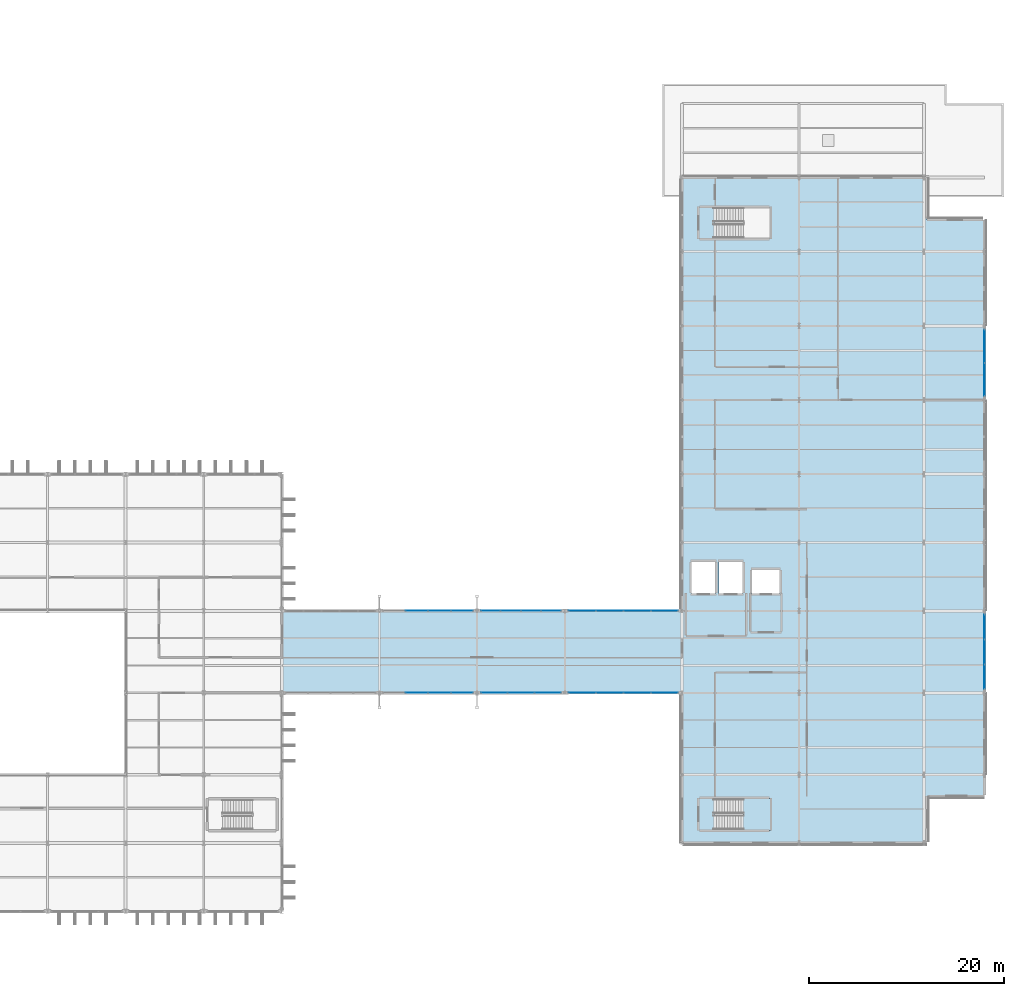
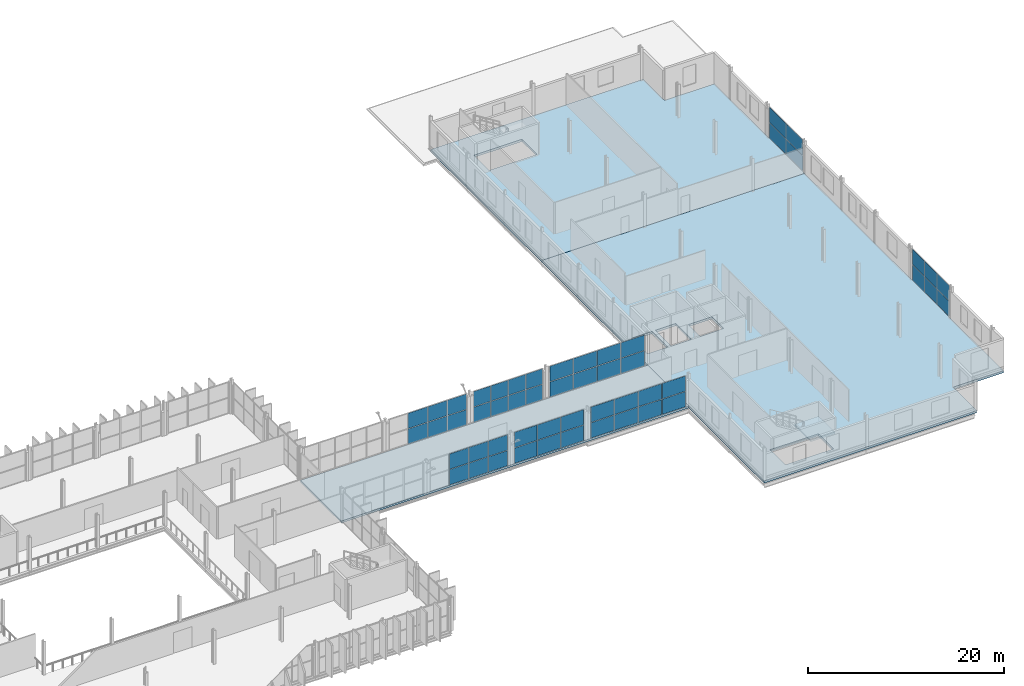
# One storey, part 72 of 101: 52 plates, 4 slabs, 9 elements without a shape of their own.
"""IFC4 building model written with IfcOpenShell, lengths in metres."""

from ifc_helpers import new_model, si_unit, direction, frame, origin, origin_2d, place, context, subcontext, project, spatial, polyline, rectangle, outline, extrude, material, layer, layer_set, type_object, element, aggregate, save


model = new_model("IFC4")

# Units and contexts
model_context = context("Model", 3, precision=1e-05, world=origin(), true_north=direction((0.0, 1.0)))
body_context = subcontext(model_context, "Body", "Model", "MODEL_VIEW")
ifc_project = project(units=[si_unit("LENGTHUNIT", "METRE"), si_unit("AREAUNIT", "SQUARE_METRE"), si_unit("VOLUMEUNIT", "CUBIC_METRE"), si_unit("PLANEANGLEUNIT", "RADIAN"), si_unit("MASSUNIT", "GRAM", prefix="KILO")], contexts=[model_context])

# Site, building, storey
site_placement = place(None, origin())
site = spatial("IfcSite", under=ifc_project, at=site_placement, CompositionType="ELEMENT")
building_placement = place(site_placement, origin())
building = spatial("IfcBuilding", under=site, at=building_placement, Name="Vekula Escarpment Museum", CompositionType="ELEMENT")
storey_placement = place(building_placement, frame((0.0, 0.0, 18.0)))
storey = spatial("IfcBuildingStorey", under=building, at=storey_placement, Name="L04", CompositionType="ELEMENT", Elevation=18.0)

# Curtain wall, plates
ifc_material_1 = material(Name="Aluminium thermally broken framing", Category="aluminium")
ifc_layer_1 = layer(ifc_material_1, 0.199951171875)
ifc_layer_set_1 = layer_set([ifc_layer_1], Name="Aluminium thermally broken framing")
curtain_wall_type_1 = type_object("IfcCurtainWallType", Name="CW-SYS-04", PredefinedType="NOTDEFINED", material=ifc_layer_set_1)
curtain_wall_1_placement = place(storey_placement, origin())
curtain_wall_1 = element("IfcCurtainWall", 1, at=curtain_wall_1_placement, inside=storey, type_object=curtain_wall_type_1, Name="Curtain Wall CW-L04-144", PredefinedType="NOTDEFINED")
ifc_material_2 = material(Name="Double solar-control low-E glass", Category="glass")
ifc_layer_2 = layer(ifc_material_2, 0.028076171875)
ifc_layer_set_2 = layer_set([ifc_layer_2], Name="Double solar-control low-E glass")
plate_type_1 = type_object("IfcPlateType", Name="CW-PNL-28", PredefinedType="CURTAIN_PANEL", material=ifc_layer_set_2)
plate_1_placement = place(storey_placement, frame((147.7548828125, 68.0, 0.06005859375), z_axis=(0.0, 0.0, 1.0), x_axis=(1.0, 0.0, 0.0)))
plate_1 = element("IfcPlate", 2, at=plate_1_placement, type_object=plate_type_1, Name="CW-04 panel 1.1", PredefinedType="CURTAIN_PANEL", context=body_context, shape_type="SweptSolid", body=[
    extrude(rectangle(XDim=2.669921875, YDim=0.028076171875, at=origin_2d()), origin(), (0.0, 0.0, 1.0), 1.89990234375),
])
plate_2_placement = place(storey_placement, frame((147.7548828125, 68.0, 2.02001953125), z_axis=(0.0, 0.0, 1.0), x_axis=(1.0, 0.0, 0.0)))
plate_2 = element("IfcPlate", 3, at=plate_2_placement, type_object=plate_type_1, Name="CW-04 panel 1.2", PredefinedType="CURTAIN_PANEL", context=body_context, shape_type="SweptSolid", body=[
    extrude(rectangle(XDim=2.669921875, YDim=0.028076171875, at=origin_2d()), origin(), (0.0, 0.0, 1.0), 1.89990234375),
])
plate_3_placement = place(storey_placement, frame((150.5, 68.0, 0.06005859375), z_axis=(0.0, 0.0, 1.0), x_axis=(1.0, 0.0, 0.0)))
plate_3 = element("IfcPlate", 4, at=plate_3_placement, type_object=plate_type_1, Name="CW-04 panel 2.1", PredefinedType="CURTAIN_PANEL", context=body_context, shape_type="SweptSolid", body=[
    extrude(rectangle(XDim=2.699951171875, YDim=0.028076171875, at=origin_2d()), origin(), (0.0, 0.0, 1.0), 1.89990234375),
])
plate_4_placement = place(storey_placement, frame((150.5, 68.0, 2.02001953125), z_axis=(0.0, 0.0, 1.0), x_axis=(1.0, 0.0, 0.0)))
plate_4 = element("IfcPlate", 5, at=plate_4_placement, type_object=plate_type_1, Name="CW-04 panel 2.2", PredefinedType="CURTAIN_PANEL", context=body_context, shape_type="SweptSolid", body=[
    extrude(rectangle(XDim=2.699951171875, YDim=0.028076171875, at=origin_2d()), origin(), (0.0, 0.0, 1.0), 1.89990234375),
])
plate_5_placement = place(storey_placement, frame((153.2451171875, 68.0, 0.06005859375), z_axis=(0.0, 0.0, 1.0), x_axis=(1.0, 0.0, 0.0)))
plate_5 = element("IfcPlate", 6, at=plate_5_placement, type_object=plate_type_1, Name="CW-04 panel 3.1", PredefinedType="CURTAIN_PANEL", context=body_context, shape_type="SweptSolid", body=[
    extrude(rectangle(XDim=2.669921875, YDim=0.028076171875, at=origin_2d()), origin(), (0.0, 0.0, 1.0), 1.89990234375),
])
plate_6_placement = place(storey_placement, frame((153.2451171875, 68.0, 2.02001953125), z_axis=(0.0, 0.0, 1.0), x_axis=(1.0, 0.0, 0.0)))
plate_6 = element("IfcPlate", 7, at=plate_6_placement, type_object=plate_type_1, Name="CW-04 panel 3.2", PredefinedType="CURTAIN_PANEL", context=body_context, shape_type="SweptSolid", body=[
    extrude(rectangle(XDim=2.669921875, YDim=0.028076171875, at=origin_2d()), origin(), (0.0, 0.0, 1.0), 1.89990234375),
])
aggregate(curtain_wall_1, [plate_1, plate_2, plate_3, plate_4, plate_5, plate_6])

ifc_material_3 = material(Name="Aluminium thermally broken framing", Category="aluminium")
ifc_layer_3 = layer(ifc_material_3, 0.179931640625)
ifc_layer_set_3 = layer_set([ifc_layer_3], Name="Aluminium thermally broken framing")
curtain_wall_type_2 = type_object("IfcCurtainWallType", Name="CW-SYS-08", PredefinedType="NOTDEFINED", material=ifc_layer_set_3)
curtain_wall_2_placement = place(storey_placement, origin())
curtain_wall_2 = element("IfcCurtainWall", 8, at=curtain_wall_2_placement, inside=storey, type_object=curtain_wall_type_2, Name="Curtain Wall CW-L04-148", PredefinedType="NOTDEFINED")
plate_7_placement = place(storey_placement, frame((165.215087890625, 76.39990234375, 0.06005859375), z_axis=(0.0, 0.0, 1.0), x_axis=(-1.0, 0.0, 0.0)))
plate_7 = element("IfcPlate", 9, at=plate_7_placement, type_object=plate_type_1, Name="CW-08 panel 1.1", PredefinedType="CURTAIN_PANEL", context=body_context, shape_type="SweptSolid", body=[
    extrude(rectangle(XDim=2.72998046875, YDim=0.028076171875, at=origin_2d()), origin(), (0.0, 0.0, 1.0), 1.89990234375),
])
plate_8_placement = place(storey_placement, frame((165.215087890625, 76.39990234375, 2.02001953125), z_axis=(0.0, 0.0, 1.0), x_axis=(-1.0, 0.0, 0.0)))
plate_8 = element("IfcPlate", 10, at=plate_8_placement, type_object=plate_type_1, Name="CW-08 panel 1.2", PredefinedType="CURTAIN_PANEL", context=body_context, shape_type="SweptSolid", body=[
    extrude(rectangle(XDim=2.72998046875, YDim=0.028076171875, at=origin_2d()), origin(), (0.0, 0.0, 1.0), 1.89990234375),
])
plate_9_placement = place(storey_placement, frame((162.409912109375, 76.39990234375, 0.06005859375), z_axis=(0.0, 0.0, 1.0), x_axis=(-1.0, 0.0, 0.0)))
plate_9 = element("IfcPlate", 11, at=plate_9_placement, type_object=plate_type_1, Name="CW-08 panel 2.1", PredefinedType="CURTAIN_PANEL", context=body_context, shape_type="SweptSolid", body=[
    extrude(rectangle(XDim=2.760009765625, YDim=0.028076171875, at=origin_2d()), origin(), (0.0, 0.0, 1.0), 1.89990234375),
])
plate_10_placement = place(storey_placement, frame((162.409912109375, 76.39990234375, 2.02001953125), z_axis=(0.0, 0.0, 1.0), x_axis=(-1.0, 0.0, 0.0)))
plate_10 = element("IfcPlate", 12, at=plate_10_placement, type_object=plate_type_1, Name="CW-08 panel 2.2", PredefinedType="CURTAIN_PANEL", context=body_context, shape_type="SweptSolid", body=[
    extrude(rectangle(XDim=2.760009765625, YDim=0.028076171875, at=origin_2d()), origin(), (0.0, 0.0, 1.0), 1.89990234375),
])
plate_11_placement = place(storey_placement, frame((159.590087890625, 76.39990234375, 0.06005859375), z_axis=(0.0, 0.0, 1.0), x_axis=(-1.0, 0.0, 0.0)))
plate_11 = element("IfcPlate", 13, at=plate_11_placement, type_object=plate_type_1, Name="CW-08 panel 3.1", PredefinedType="CURTAIN_PANEL", context=body_context, shape_type="SweptSolid", body=[
    extrude(rectangle(XDim=2.760009765625, YDim=0.028076171875, at=origin_2d()), origin(), (0.0, 0.0, 1.0), 1.89990234375),
])
plate_12_placement = place(storey_placement, frame((159.590087890625, 76.39990234375, 2.02001953125), z_axis=(0.0, 0.0, 1.0), x_axis=(-1.0, 0.0, 0.0)))
plate_12 = element("IfcPlate", 14, at=plate_12_placement, type_object=plate_type_1, Name="CW-08 panel 3.2", PredefinedType="CURTAIN_PANEL", context=body_context, shape_type="SweptSolid", body=[
    extrude(rectangle(XDim=2.760009765625, YDim=0.028076171875, at=origin_2d()), origin(), (0.0, 0.0, 1.0), 1.89990234375),
])
plate_13_placement = place(storey_placement, frame((156.784912109375, 76.39990234375, 0.06005859375), z_axis=(0.0, 0.0, 1.0), x_axis=(-1.0, 0.0, 0.0)))
plate_13 = element("IfcPlate", 15, at=plate_13_placement, type_object=plate_type_1, Name="CW-08 panel 4.1", PredefinedType="CURTAIN_PANEL", context=body_context, shape_type="SweptSolid", body=[
    extrude(rectangle(XDim=2.72998046875, YDim=0.028076171875, at=origin_2d()), origin(), (0.0, 0.0, 1.0), 1.89990234375),
])
plate_14_placement = place(storey_placement, frame((156.784912109375, 76.39990234375, 2.02001953125), z_axis=(0.0, 0.0, 1.0), x_axis=(-1.0, 0.0, 0.0)))
plate_14 = element("IfcPlate", 16, at=plate_14_placement, type_object=plate_type_1, Name="CW-08 panel 4.2", PredefinedType="CURTAIN_PANEL", context=body_context, shape_type="SweptSolid", body=[
    extrude(rectangle(XDim=2.72998046875, YDim=0.028076171875, at=origin_2d()), origin(), (0.0, 0.0, 1.0), 1.89990234375),
])
aggregate(curtain_wall_2, [plate_7, plate_8, plate_9, plate_10, plate_11, plate_12, plate_13, plate_14])

ifc_material_4 = material(Name="Aluminium thermally broken framing", Category="aluminium")
ifc_layer_4 = layer(ifc_material_4, 0.159912109375)
ifc_layer_set_4 = layer_set([ifc_layer_4], Name="Aluminium thermally broken framing")
curtain_wall_type_3 = type_object("IfcCurtainWallType", Name="CW-SYS-05", PredefinedType="NOTDEFINED", material=ifc_layer_set_4)
curtain_wall_3_placement = place(storey_placement, origin())
curtain_wall_3 = element("IfcCurtainWall", 17, at=curtain_wall_3_placement, inside=storey, type_object=curtain_wall_type_3, Name="Curtain Wall CW-L04-145", PredefinedType="NOTDEFINED")
ifc_material_5 = material(Name="Acoustic laminated double low-E glass", Category="glass")
ifc_layer_5 = layer(ifc_material_5, 0.031982421875)
ifc_layer_set_5 = layer_set([ifc_layer_5], Name="Acoustic laminated double low-E glass")
plate_type_2 = type_object("IfcPlateType", Name="CW-PNL-32", PredefinedType="CURTAIN_PANEL", material=ifc_layer_set_5)
plate_15_placement = place(storey_placement, frame((156.784912109375, 68.0, 0.06005859375), z_axis=(0.0, 0.0, 1.0), x_axis=(1.0, 0.0, 0.0)))
plate_15 = element("IfcPlate", 18, at=plate_15_placement, type_object=plate_type_2, Name="CW-05 panel 1.1", PredefinedType="CURTAIN_PANEL", context=body_context, shape_type="SweptSolid", body=[
    extrude(rectangle(XDim=2.72998046875, YDim=0.031982421875, at=origin_2d()), origin(), (0.0, 0.0, 1.0), 1.89990234375),
])
plate_16_placement = place(storey_placement, frame((156.784912109375, 68.0, 2.02001953125), z_axis=(0.0, 0.0, 1.0), x_axis=(1.0, 0.0, 0.0)))
plate_16 = element("IfcPlate", 19, at=plate_16_placement, type_object=plate_type_2, Name="CW-05 panel 1.2", PredefinedType="CURTAIN_PANEL", context=body_context, shape_type="SweptSolid", body=[
    extrude(rectangle(XDim=2.72998046875, YDim=0.031982421875, at=origin_2d()), origin(), (0.0, 0.0, 1.0), 1.89990234375),
])
plate_17_placement = place(storey_placement, frame((159.590087890625, 68.0, 0.06005859375), z_axis=(0.0, 0.0, 1.0), x_axis=(1.0, 0.0, 0.0)))
plate_17 = element("IfcPlate", 20, at=plate_17_placement, type_object=plate_type_2, Name="CW-05 panel 2.1", PredefinedType="CURTAIN_PANEL", context=body_context, shape_type="SweptSolid", body=[
    extrude(rectangle(XDim=2.760009765625, YDim=0.031982421875, at=origin_2d()), origin(), (0.0, 0.0, 1.0), 1.89990234375),
])
plate_18_placement = place(storey_placement, frame((159.590087890625, 68.0, 2.02001953125), z_axis=(0.0, 0.0, 1.0), x_axis=(1.0, 0.0, 0.0)))
plate_18 = element("IfcPlate", 21, at=plate_18_placement, type_object=plate_type_2, Name="CW-05 panel 2.2", PredefinedType="CURTAIN_PANEL", context=body_context, shape_type="SweptSolid", body=[
    extrude(rectangle(XDim=2.760009765625, YDim=0.031982421875, at=origin_2d()), origin(), (0.0, 0.0, 1.0), 1.89990234375),
])
plate_19_placement = place(storey_placement, frame((162.409912109375, 68.0, 0.06005859375), z_axis=(0.0, 0.0, 1.0), x_axis=(1.0, 0.0, 0.0)))
plate_19 = element("IfcPlate", 22, at=plate_19_placement, type_object=plate_type_2, Name="CW-05 panel 3.1", PredefinedType="CURTAIN_PANEL", context=body_context, shape_type="SweptSolid", body=[
    extrude(rectangle(XDim=2.760009765625, YDim=0.031982421875, at=origin_2d()), origin(), (0.0, 0.0, 1.0), 1.89990234375),
])
plate_20_placement = place(storey_placement, frame((162.409912109375, 68.0, 2.02001953125), z_axis=(0.0, 0.0, 1.0), x_axis=(1.0, 0.0, 0.0)))
plate_20 = element("IfcPlate", 23, at=plate_20_placement, type_object=plate_type_2, Name="CW-05 panel 3.2", PredefinedType="CURTAIN_PANEL", context=body_context, shape_type="SweptSolid", body=[
    extrude(rectangle(XDim=2.760009765625, YDim=0.031982421875, at=origin_2d()), origin(), (0.0, 0.0, 1.0), 1.89990234375),
])
plate_21_placement = place(storey_placement, frame((165.215087890625, 68.0, 0.06005859375), z_axis=(0.0, 0.0, 1.0), x_axis=(1.0, 0.0, 0.0)))
plate_21 = element("IfcPlate", 24, at=plate_21_placement, type_object=plate_type_2, Name="CW-05 panel 4.1", PredefinedType="CURTAIN_PANEL", context=body_context, shape_type="SweptSolid", body=[
    extrude(rectangle(XDim=2.72998046875, YDim=0.031982421875, at=origin_2d()), origin(), (0.0, 0.0, 1.0), 1.89990234375),
])
plate_22_placement = place(storey_placement, frame((165.215087890625, 68.0, 2.02001953125), z_axis=(0.0, 0.0, 1.0), x_axis=(1.0, 0.0, 0.0)))
plate_22 = element("IfcPlate", 25, at=plate_22_placement, type_object=plate_type_2, Name="CW-05 panel 4.2", PredefinedType="CURTAIN_PANEL", context=body_context, shape_type="SweptSolid", body=[
    extrude(rectangle(XDim=2.72998046875, YDim=0.031982421875, at=origin_2d()), origin(), (0.0, 0.0, 1.0), 1.89990234375),
])
aggregate(curtain_wall_3, [plate_15, plate_16, plate_17, plate_18, plate_19, plate_20, plate_21, plate_22])

ifc_material_6 = material(Name="Aluminium thermally broken framing", Category="aluminium")
ifc_layer_6 = layer(ifc_material_6, 0.14990234375)
ifc_layer_set_6 = layer_set([ifc_layer_6], Name="Aluminium thermally broken framing")
curtain_wall_type_4 = type_object("IfcCurtainWallType", Name="CW-SYS-09", PredefinedType="NOTDEFINED", material=ifc_layer_set_6)
curtain_wall_4_placement = place(storey_placement, origin())
curtain_wall_4 = element("IfcCurtainWall", 26, at=curtain_wall_4_placement, inside=storey, type_object=curtain_wall_type_4, Name="Curtain Wall CW-L04-149", PredefinedType="NOTDEFINED")
plate_23_placement = place(storey_placement, frame((153.590087890625, 76.39990234375, 0.06005859375), z_axis=(0.0, 0.0, 1.0), x_axis=(-1.0, 0.0, 0.0)))
plate_23 = element("IfcPlate", 27, at=plate_23_placement, type_object=plate_type_2, Name="CW-09 panel 1.1", PredefinedType="CURTAIN_PANEL", context=body_context, shape_type="SweptSolid", body=[
    extrude(rectangle(XDim=1.97998046875, YDim=0.031982421875, at=origin_2d()), origin(), (0.0, 0.0, 1.0), 1.89990234375),
])
plate_24_placement = place(storey_placement, frame((153.590087890625, 76.39990234375, 2.02001953125), z_axis=(0.0, 0.0, 1.0), x_axis=(-1.0, 0.0, 0.0)))
plate_24 = element("IfcPlate", 28, at=plate_24_placement, type_object=plate_type_2, Name="CW-09 panel 1.2", PredefinedType="CURTAIN_PANEL", context=body_context, shape_type="SweptSolid", body=[
    extrude(rectangle(XDim=1.97998046875, YDim=0.031982421875, at=origin_2d()), origin(), (0.0, 0.0, 1.0), 1.89990234375),
])
plate_25_placement = place(storey_placement, frame((151.534912109375, 76.39990234375, 0.06005859375), z_axis=(0.0, 0.0, 1.0), x_axis=(-1.0, 0.0, 0.0)))
plate_25 = element("IfcPlate", 29, at=plate_25_placement, type_object=plate_type_2, Name="CW-09 panel 2.1", PredefinedType="CURTAIN_PANEL", context=body_context, shape_type="SweptSolid", body=[
    extrude(rectangle(XDim=2.010009765625, YDim=0.031982421875, at=origin_2d()), origin(), (0.0, 0.0, 1.0), 1.89990234375),
])
plate_26_placement = place(storey_placement, frame((151.534912109375, 76.39990234375, 2.02001953125), z_axis=(0.0, 0.0, 1.0), x_axis=(-1.0, 0.0, 0.0)))
plate_26 = element("IfcPlate", 30, at=plate_26_placement, type_object=plate_type_2, Name="CW-09 panel 2.2", PredefinedType="CURTAIN_PANEL", context=body_context, shape_type="SweptSolid", body=[
    extrude(rectangle(XDim=2.010009765625, YDim=0.031982421875, at=origin_2d()), origin(), (0.0, 0.0, 1.0), 1.89990234375),
])
plate_27_placement = place(storey_placement, frame((149.465087890625, 76.39990234375, 0.06005859375), z_axis=(0.0, 0.0, 1.0), x_axis=(-1.0, 0.0, 0.0)))
plate_27 = element("IfcPlate", 31, at=plate_27_placement, type_object=plate_type_2, Name="CW-09 panel 3.1", PredefinedType="CURTAIN_PANEL", context=body_context, shape_type="SweptSolid", body=[
    extrude(rectangle(XDim=2.010009765625, YDim=0.031982421875, at=origin_2d()), origin(), (0.0, 0.0, 1.0), 1.89990234375),
])
plate_28_placement = place(storey_placement, frame((149.465087890625, 76.39990234375, 2.02001953125), z_axis=(0.0, 0.0, 1.0), x_axis=(-1.0, 0.0, 0.0)))
plate_28 = element("IfcPlate", 32, at=plate_28_placement, type_object=plate_type_2, Name="CW-09 panel 3.2", PredefinedType="CURTAIN_PANEL", context=body_context, shape_type="SweptSolid", body=[
    extrude(rectangle(XDim=2.010009765625, YDim=0.031982421875, at=origin_2d()), origin(), (0.0, 0.0, 1.0), 1.89990234375),
])
plate_29_placement = place(storey_placement, frame((147.409912109375, 76.39990234375, 0.06005859375), z_axis=(0.0, 0.0, 1.0), x_axis=(-1.0, 0.0, 0.0)))
plate_29 = element("IfcPlate", 33, at=plate_29_placement, type_object=plate_type_2, Name="CW-09 panel 4.1", PredefinedType="CURTAIN_PANEL", context=body_context, shape_type="SweptSolid", body=[
    extrude(rectangle(XDim=1.97998046875, YDim=0.031982421875, at=origin_2d()), origin(), (0.0, 0.0, 1.0), 1.89990234375),
])
plate_30_placement = place(storey_placement, frame((147.409912109375, 76.39990234375, 2.02001953125), z_axis=(0.0, 0.0, 1.0), x_axis=(-1.0, 0.0, 0.0)))
plate_30 = element("IfcPlate", 34, at=plate_30_placement, type_object=plate_type_2, Name="CW-09 panel 4.2", PredefinedType="CURTAIN_PANEL", context=body_context, shape_type="SweptSolid", body=[
    extrude(rectangle(XDim=1.97998046875, YDim=0.031982421875, at=origin_2d()), origin(), (0.0, 0.0, 1.0), 1.89990234375),
])
aggregate(curtain_wall_4, [plate_23, plate_24, plate_25, plate_26, plate_27, plate_28, plate_29, plate_30])

ifc_material_7 = material(Name="Aluminium thermally broken framing", Category="aluminium")
ifc_layer_7 = layer(ifc_material_7, 0.139892578125)
ifc_layer_set_7 = layer_set([ifc_layer_7], Name="Aluminium thermally broken framing")
curtain_wall_type_5 = type_object("IfcCurtainWallType", Name="CW-SYS-06", PredefinedType="NOTDEFINED", material=ifc_layer_set_7)
curtain_wall_5_placement = place(storey_placement, origin())
curtain_wall_5 = element("IfcCurtainWall", 35, at=curtain_wall_5_placement, inside=storey, type_object=curtain_wall_type_5, Name="Curtain Wall CW-L04-146", PredefinedType="NOTDEFINED")
ifc_material_8 = material(Name="Triple UV-filtered museum gallery glass", Category="glass")
ifc_layer_8 = layer(ifc_material_8, 0.035888671875)
ifc_layer_set_8 = layer_set([ifc_layer_8], Name="Triple UV-filtered museum gallery glass")
plate_type_3 = type_object("IfcPlateType", Name="CW-PNL-36", PredefinedType="CURTAIN_PANEL", material=ifc_layer_set_8)
plate_31_placement = place(storey_placement, frame((198.0, 69.655029296875, 0.06005859375), z_axis=(0.0, 0.0, 1.0), x_axis=(0.0, 1.0, 0.0)))
plate_31 = element("IfcPlate", 36, at=plate_31_placement, type_object=plate_type_3, Name="CW-06 panel 1.1", PredefinedType="CURTAIN_PANEL", context=body_context, shape_type="SweptSolid", body=[
    extrude(rectangle(XDim=2.469970703125, YDim=0.035888671875, at=origin_2d()), origin(), (0.0, 0.0, 1.0), 1.89990234375),
])
plate_32_placement = place(storey_placement, frame((198.0, 69.655029296875, 2.02001953125), z_axis=(0.0, 0.0, 1.0), x_axis=(0.0, 1.0, 0.0)))
plate_32 = element("IfcPlate", 37, at=plate_32_placement, type_object=plate_type_3, Name="CW-06 panel 1.2", PredefinedType="CURTAIN_PANEL", context=body_context, shape_type="SweptSolid", body=[
    extrude(rectangle(XDim=2.469970703125, YDim=0.035888671875, at=origin_2d()), origin(), (0.0, 0.0, 1.0), 1.89990234375),
])
plate_33_placement = place(storey_placement, frame((198.0, 72.199951171875, 0.06005859375), z_axis=(0.0, 0.0, 1.0), x_axis=(0.0, 1.0, 0.0)))
plate_33 = element("IfcPlate", 38, at=plate_33_placement, type_object=plate_type_3, Name="CW-06 panel 2.1", PredefinedType="CURTAIN_PANEL", context=body_context, shape_type="SweptSolid", body=[
    extrude(rectangle(XDim=2.5, YDim=0.035888671875, at=origin_2d()), origin(), (0.0, 0.0, 1.0), 1.89990234375),
])
plate_34_placement = place(storey_placement, frame((198.0, 72.199951171875, 2.02001953125), z_axis=(0.0, 0.0, 1.0), x_axis=(0.0, 1.0, 0.0)))
plate_34 = element("IfcPlate", 39, at=plate_34_placement, type_object=plate_type_3, Name="CW-06 panel 2.2", PredefinedType="CURTAIN_PANEL", context=body_context, shape_type="SweptSolid", body=[
    extrude(rectangle(XDim=2.5, YDim=0.035888671875, at=origin_2d()), origin(), (0.0, 0.0, 1.0), 1.89990234375),
])
plate_35_placement = place(storey_placement, frame((198.0, 74.7451171875, 0.06005859375), z_axis=(0.0, 0.0, 1.0), x_axis=(0.0, 1.0, 0.0)))
plate_35 = element("IfcPlate", 40, at=plate_35_placement, type_object=plate_type_3, Name="CW-06 panel 3.1", PredefinedType="CURTAIN_PANEL", context=body_context, shape_type="SweptSolid", body=[
    extrude(rectangle(XDim=2.469970703125, YDim=0.035888671875, at=origin_2d()), origin(), (0.0, 0.0, 1.0), 1.89990234375),
])
plate_36_placement = place(storey_placement, frame((198.0, 74.7451171875, 2.02001953125), z_axis=(0.0, 0.0, 1.0), x_axis=(0.0, 1.0, 0.0)))
plate_36 = element("IfcPlate", 41, at=plate_36_placement, type_object=plate_type_3, Name="CW-06 panel 3.2", PredefinedType="CURTAIN_PANEL", context=body_context, shape_type="SweptSolid", body=[
    extrude(rectangle(XDim=2.469970703125, YDim=0.035888671875, at=origin_2d()), origin(), (0.0, 0.0, 1.0), 1.89990234375),
])
aggregate(curtain_wall_5, [plate_31, plate_32, plate_33, plate_34, plate_35, plate_36])

ifc_material_9 = material(Name="Aluminium thermally broken framing", Category="aluminium")
ifc_layer_9 = layer(ifc_material_9, 0.169921875)
ifc_layer_set_9 = layer_set([ifc_layer_9], Name="Aluminium thermally broken framing")
curtain_wall_type_6 = type_object("IfcCurtainWallType", Name="CW-SYS-10", PredefinedType="NOTDEFINED", material=ifc_layer_set_9)
curtain_wall_6_placement = place(storey_placement, origin())
curtain_wall_6 = element("IfcCurtainWall", 42, at=curtain_wall_6_placement, inside=storey, type_object=curtain_wall_type_6, Name="Curtain Wall CW-L04-150", PredefinedType="NOTDEFINED")
plate_37_placement = place(storey_placement, frame((144.465087890625, 76.39990234375, 0.06005859375), z_axis=(0.0, 0.0, 1.0), x_axis=(-1.0, 0.0, 0.0)))
plate_37 = element("IfcPlate", 43, at=plate_37_placement, type_object=plate_type_3, Name="CW-10 panel 1.1", PredefinedType="CURTAIN_PANEL", context=body_context, shape_type="SweptSolid", body=[
    extrude(rectangle(XDim=2.22998046875, YDim=0.035888671875, at=origin_2d()), origin(), (0.0, 0.0, 1.0), 1.89990234375),
])
plate_38_placement = place(storey_placement, frame((144.465087890625, 76.39990234375, 2.02001953125), z_axis=(0.0, 0.0, 1.0), x_axis=(-1.0, 0.0, 0.0)))
plate_38 = element("IfcPlate", 44, at=plate_38_placement, type_object=plate_type_3, Name="CW-10 panel 1.2", PredefinedType="CURTAIN_PANEL", context=body_context, shape_type="SweptSolid", body=[
    extrude(rectangle(XDim=2.22998046875, YDim=0.035888671875, at=origin_2d()), origin(), (0.0, 0.0, 1.0), 1.89990234375),
])
plate_39_placement = place(storey_placement, frame((142.159912109375, 76.39990234375, 0.06005859375), z_axis=(0.0, 0.0, 1.0), x_axis=(-1.0, 0.0, 0.0)))
plate_39 = element("IfcPlate", 45, at=plate_39_placement, type_object=plate_type_3, Name="CW-10 panel 2.1", PredefinedType="CURTAIN_PANEL", context=body_context, shape_type="SweptSolid", body=[
    extrude(rectangle(XDim=2.260009765625, YDim=0.035888671875, at=origin_2d()), origin(), (0.0, 0.0, 1.0), 1.89990234375),
])
plate_40_placement = place(storey_placement, frame((142.159912109375, 76.39990234375, 2.02001953125), z_axis=(0.0, 0.0, 1.0), x_axis=(-1.0, 0.0, 0.0)))
plate_40 = element("IfcPlate", 46, at=plate_40_placement, type_object=plate_type_3, Name="CW-10 panel 2.2", PredefinedType="CURTAIN_PANEL", context=body_context, shape_type="SweptSolid", body=[
    extrude(rectangle(XDim=2.260009765625, YDim=0.035888671875, at=origin_2d()), origin(), (0.0, 0.0, 1.0), 1.89990234375),
])
plate_41_placement = place(storey_placement, frame((139.840087890625, 76.39990234375, 0.06005859375), z_axis=(0.0, 0.0, 1.0), x_axis=(-1.0, 0.0, 0.0)))
plate_41 = element("IfcPlate", 47, at=plate_41_placement, type_object=plate_type_3, Name="CW-10 panel 3.1", PredefinedType="CURTAIN_PANEL", context=body_context, shape_type="SweptSolid", body=[
    extrude(rectangle(XDim=2.260009765625, YDim=0.035888671875, at=origin_2d()), origin(), (0.0, 0.0, 1.0), 1.89990234375),
])
plate_42_placement = place(storey_placement, frame((139.840087890625, 76.39990234375, 2.02001953125), z_axis=(0.0, 0.0, 1.0), x_axis=(-1.0, 0.0, 0.0)))
plate_42 = element("IfcPlate", 48, at=plate_42_placement, type_object=plate_type_3, Name="CW-10 panel 3.2", PredefinedType="CURTAIN_PANEL", context=body_context, shape_type="SweptSolid", body=[
    extrude(rectangle(XDim=2.260009765625, YDim=0.035888671875, at=origin_2d()), origin(), (0.0, 0.0, 1.0), 1.89990234375),
])
aggregate(curtain_wall_6, [plate_37, plate_38, plate_39, plate_40, plate_41, plate_42])

ifc_material_10 = material(Name="Aluminium thermally broken framing", Category="aluminium")
ifc_layer_10 = layer(ifc_material_10, 0.199951171875)
ifc_layer_set_10 = layer_set([ifc_layer_10], Name="Aluminium thermally broken framing")
curtain_wall_type_7 = type_object("IfcCurtainWallType", Name="CW-SYS-03", PredefinedType="NOTDEFINED", material=ifc_layer_set_10)
curtain_wall_7_placement = place(storey_placement, origin())
curtain_wall_7 = element("IfcCurtainWall", 49, at=curtain_wall_7_placement, inside=storey, type_object=curtain_wall_type_7, Name="Curtain Wall CW-L04-143", PredefinedType="NOTDEFINED")
ifc_material_11 = material(Name="Insulated bronze spandrel glass panel", Category="glass")
ifc_layer_11 = layer(ifc_material_11, 0.0400390625)
ifc_layer_set_11 = layer_set([ifc_layer_11], Name="Insulated bronze spandrel glass panel")
plate_type_4 = type_object("IfcPlateType", Name="CW-PNL-40", PredefinedType="CURTAIN_PANEL", material=ifc_layer_set_11)
plate_43_placement = place(storey_placement, frame((139.840087890625, 68.0, 0.06005859375), z_axis=(0.0, 0.0, 1.0), x_axis=(1.0, 0.0, 0.0)))
plate_43 = element("IfcPlate", 50, at=plate_43_placement, type_object=plate_type_4, Name="CW-03 panel 2.1", PredefinedType="CURTAIN_PANEL", context=body_context, shape_type="SweptSolid", body=[
    extrude(rectangle(XDim=2.260009765625, YDim=0.0400390625, at=origin_2d()), origin(), (0.0, 0.0, 1.0), 1.89990234375),
])
plate_44_placement = place(storey_placement, frame((139.840087890625, 68.0, 2.02001953125), z_axis=(0.0, 0.0, 1.0), x_axis=(1.0, 0.0, 0.0)))
plate_44 = element("IfcPlate", 51, at=plate_44_placement, type_object=plate_type_4, Name="CW-03 panel 2.2", PredefinedType="CURTAIN_PANEL", context=body_context, shape_type="SweptSolid", body=[
    extrude(rectangle(XDim=2.260009765625, YDim=0.0400390625, at=origin_2d()), origin(), (0.0, 0.0, 1.0), 1.89990234375),
])
plate_45_placement = place(storey_placement, frame((142.159912109375, 68.0, 0.06005859375), z_axis=(0.0, 0.0, 1.0), x_axis=(1.0, 0.0, 0.0)))
plate_45 = element("IfcPlate", 52, at=plate_45_placement, type_object=plate_type_4, Name="CW-03 panel 3.1", PredefinedType="CURTAIN_PANEL", context=body_context, shape_type="SweptSolid", body=[
    extrude(rectangle(XDim=2.260009765625, YDim=0.0400390625, at=origin_2d()), origin(), (0.0, 0.0, 1.0), 1.89990234375),
])
plate_46_placement = place(storey_placement, frame((142.159912109375, 68.0, 2.02001953125), z_axis=(0.0, 0.0, 1.0), x_axis=(1.0, 0.0, 0.0)))
plate_46 = element("IfcPlate", 53, at=plate_46_placement, type_object=plate_type_4, Name="CW-03 panel 3.2", PredefinedType="CURTAIN_PANEL", context=body_context, shape_type="SweptSolid", body=[
    extrude(rectangle(XDim=2.260009765625, YDim=0.0400390625, at=origin_2d()), origin(), (0.0, 0.0, 1.0), 1.89990234375),
])
plate_47_placement = place(storey_placement, frame((144.465087890625, 68.0, 0.06005859375), z_axis=(0.0, 0.0, 1.0), x_axis=(1.0, 0.0, 0.0)))
plate_47 = element("IfcPlate", 54, at=plate_47_placement, type_object=plate_type_4, Name="CW-03 panel 4.1", PredefinedType="CURTAIN_PANEL", context=body_context, shape_type="SweptSolid", body=[
    extrude(rectangle(XDim=2.22998046875, YDim=0.0400390625, at=origin_2d()), origin(), (0.0, 0.0, 1.0), 1.89990234375),
])
plate_48_placement = place(storey_placement, frame((144.465087890625, 68.0, 2.02001953125), z_axis=(0.0, 0.0, 1.0), x_axis=(1.0, 0.0, 0.0)))
plate_48 = element("IfcPlate", 55, at=plate_48_placement, type_object=plate_type_4, Name="CW-03 panel 4.2", PredefinedType="CURTAIN_PANEL", context=body_context, shape_type="SweptSolid", body=[
    extrude(rectangle(XDim=2.22998046875, YDim=0.0400390625, at=origin_2d()), origin(), (0.0, 0.0, 1.0), 1.89990234375),
])
aggregate(curtain_wall_7, [plate_43, plate_44, plate_45, plate_46, plate_47, plate_48])

ifc_material_12 = material(Name="Aluminium thermally broken framing", Category="aluminium")
ifc_layer_12 = layer(ifc_material_12, 0.179931640625)
ifc_layer_set_12 = layer_set([ifc_layer_12], Name="Aluminium thermally broken framing")
curtain_wall_type_8 = type_object("IfcCurtainWallType", Name="CW-SYS-07", PredefinedType="NOTDEFINED", material=ifc_layer_set_12)
curtain_wall_8_placement = place(storey_placement, origin())
curtain_wall_8 = element("IfcCurtainWall", 56, at=curtain_wall_8_placement, inside=storey, type_object=curtain_wall_type_8, Name="Curtain Wall CW-L04-147", PredefinedType="NOTDEFINED")
plate_49_placement = place(storey_placement, frame((198.0, 100.094970703125, 0.06005859375), z_axis=(0.0, 0.0, 1.0), x_axis=(0.0, 1.0, 0.0)))
plate_49 = element("IfcPlate", 57, at=plate_49_placement, type_object=plate_type_4, Name="CW-07 panel 1.1", PredefinedType="CURTAIN_PANEL", context=body_context, shape_type="SweptSolid", body=[
    extrude(rectangle(XDim=3.35009765625, YDim=0.0400390625, at=origin_2d()), origin(), (0.0, 0.0, 1.0), 1.89990234375),
])
plate_50_placement = place(storey_placement, frame((198.0, 100.094970703125, 2.02001953125), z_axis=(0.0, 0.0, 1.0), x_axis=(0.0, 1.0, 0.0)))
plate_50 = element("IfcPlate", 58, at=plate_50_placement, type_object=plate_type_4, Name="CW-07 panel 1.2", PredefinedType="CURTAIN_PANEL", context=body_context, shape_type="SweptSolid", body=[
    extrude(rectangle(XDim=3.35009765625, YDim=0.0400390625, at=origin_2d()), origin(), (0.0, 0.0, 1.0), 1.89990234375),
])
plate_51_placement = place(storey_placement, frame((198.0, 103.5048828125, 0.06005859375), z_axis=(0.0, 0.0, 1.0), x_axis=(0.0, 1.0, 0.0)))
plate_51 = element("IfcPlate", 59, at=plate_51_placement, type_object=plate_type_4, Name="CW-07 panel 2.1", PredefinedType="CURTAIN_PANEL", context=body_context, shape_type="SweptSolid", body=[
    extrude(rectangle(XDim=3.35009765625, YDim=0.0400390625, at=origin_2d()), origin(), (0.0, 0.0, 1.0), 1.89990234375),
])
plate_52_placement = place(storey_placement, frame((198.0, 103.5048828125, 2.02001953125), z_axis=(0.0, 0.0, 1.0), x_axis=(0.0, 1.0, 0.0)))
plate_52 = element("IfcPlate", 60, at=plate_52_placement, type_object=plate_type_4, Name="CW-07 panel 2.2", PredefinedType="CURTAIN_PANEL", context=body_context, shape_type="SweptSolid", body=[
    extrude(rectangle(XDim=3.35009765625, YDim=0.0400390625, at=origin_2d()), origin(), (0.0, 0.0, 1.0), 1.89990234375),
])
aggregate(curtain_wall_8, [plate_49, plate_50, plate_51, plate_52])

# Slabs
ifc_material_13 = material(Name="Concrete C35/45", Category="concrete")
ifc_layer_13 = layer(ifc_material_13, 0.280029296875)
ifc_layer_set_13 = layer_set([ifc_layer_13], Name="Concrete C35/45")
slab_type_1 = type_object("IfcSlabType", Name="SL-CUM-280", PredefinedType="FLOOR", material=ifc_layer_set_13)
slab_1_placement = place(storey_placement, frame((0.0, 0.0, -0.280029296875)))
element("IfcSlab", 61, at=slab_1_placement, inside=storey, type_object=slab_type_1, Name="Floor Slab W-L04-V3-E", PredefinedType="FLOOR", context=body_context, shape_type="SweptSolid", body=[
    extrude(outline(polyline([(167.0, 52.60009765625), (192.110107421875, 52.60009765625), (192.110107421875, 57.39990234375), (198.0, 57.39990234375), (198.0, 98.0), (167.0, 98.0), (167.0, 52.60009765625)]), holes=[polyline([(170.31005859375, 54.0), (176.0, 54.0), (176.0, 57.10009765625), (170.31005859375, 57.10009765625), (170.31005859375, 54.0)]), polyline([(168.0, 78.199951171875), (170.39990234375, 78.199951171875), (170.39990234375, 81.39990234375), (168.0, 81.39990234375), (168.0, 78.199951171875)]), polyline([(170.800048828125, 78.199951171875), (173.199951171875, 78.199951171875), (173.199951171875, 81.39990234375), (170.800048828125, 81.39990234375), (170.800048828125, 78.199951171875)]), polyline([(174.199951171875, 78.199951171875), (177.0, 78.199951171875), (177.0, 80.60009765625), (174.199951171875, 80.60009765625), (174.199951171875, 78.199951171875)])]), origin(), (0.0, 0.0, 1.0), 0.280029296875),
])
slab_2_placement = place(storey_placement, frame((0.0, 0.0, -0.280029296875)))
element("IfcSlab", 62, at=slab_2_placement, inside=storey, type_object=slab_type_1, Name="Floor Slab W-L04-V3-NE", PredefinedType="FLOOR", context=body_context, shape_type="SweptSolid", body=[
    extrude(outline(polyline([(167.0, 98.0), (198.0, 98.0), (198.0, 116.468017578125), (192.110107421875, 116.468017578125), (192.110107421875, 120.800048828125), (167.0, 120.800048828125), (167.0, 98.0)]), holes=[polyline([(170.31005859375, 114.60009765625), (176.0, 114.60009765625), (176.0, 117.699951171875), (170.31005859375, 117.699951171875), (170.31005859375, 114.60009765625)])]), origin(), (0.0, 0.0, 1.0), 0.280029296875),
])
ifc_material_14 = material(Name="Concrete C35/45", Category="concrete")
ifc_layer_14 = layer(ifc_material_14, 0.239990234375)
ifc_layer_set_14 = layer_set([ifc_layer_14], Name="Concrete C35/45")
slab_type_2 = type_object("IfcSlabType", Name="SL-FLR-240", PredefinedType="FLOOR", material=ifc_layer_set_14)
slab_3_placement = place(storey_placement, frame((0.0, 0.0, -0.239990234375)))
element("IfcSlab", 63, at=slab_3_placement, inside=storey, type_object=slab_type_2, Name="Floor Slab W-L04-V3-ELK", PredefinedType="FLOOR", context=body_context, shape_type="SweptSolid", body=[
    extrude(outline(polyline([(126.0, 68.0), (167.0, 68.0), (167.0, 76.39990234375), (126.0, 76.39990234375), (126.0, 68.0)])), origin(), (0.0, 0.0, 1.0), 0.239990234375),
])

# Stair, slab
ifc_material_15 = material(Name="Concrete C35/45", Category="concrete")
stair_type = type_object("IfcStairType", Name="STR-TYPE-145", PredefinedType="HALF_TURN_STAIR", material=ifc_material_15)
stair_placement = place(storey_placement, origin())
stair = element("IfcStair", 64, at=stair_placement, inside=storey, type_object=stair_type, Name="L04 East Gallery Exit Stair ST-02", PredefinedType="HALF_TURN_STAIR")
ifc_material_16 = material(Name="Concrete C35/45", Category="concrete")
ifc_layer_15 = layer(ifc_material_16, 0.199951171875)
ifc_layer_set_15 = layer_set([ifc_layer_15], Name="Concrete C35/45")
slab_type_3 = type_object("IfcSlabType", Name="SL-LAND-200", PredefinedType="LANDING", material=ifc_layer_set_15)
slab_4_placement = place(storey_placement, frame((0.0, 0.0, 1.89990234375)))
slab_4 = element("IfcSlab", 65, at=slab_4_placement, type_object=slab_type_3, Name="ST-02 landing 1", PredefinedType="LANDING", context=body_context, shape_type="SweptSolid", body=[
    extrude(outline(polyline([(173.239990234375, 53.909912109375), (176.090087890625, 53.909912109375), (176.090087890625, 57.18994140625), (173.239990234375, 57.18994140625), (173.239990234375, 53.909912109375)])), origin(), (0.0, 0.0, 1.0), 0.2001953125),
])
aggregate(stair, [slab_4])

save(model, "model.ifc")
